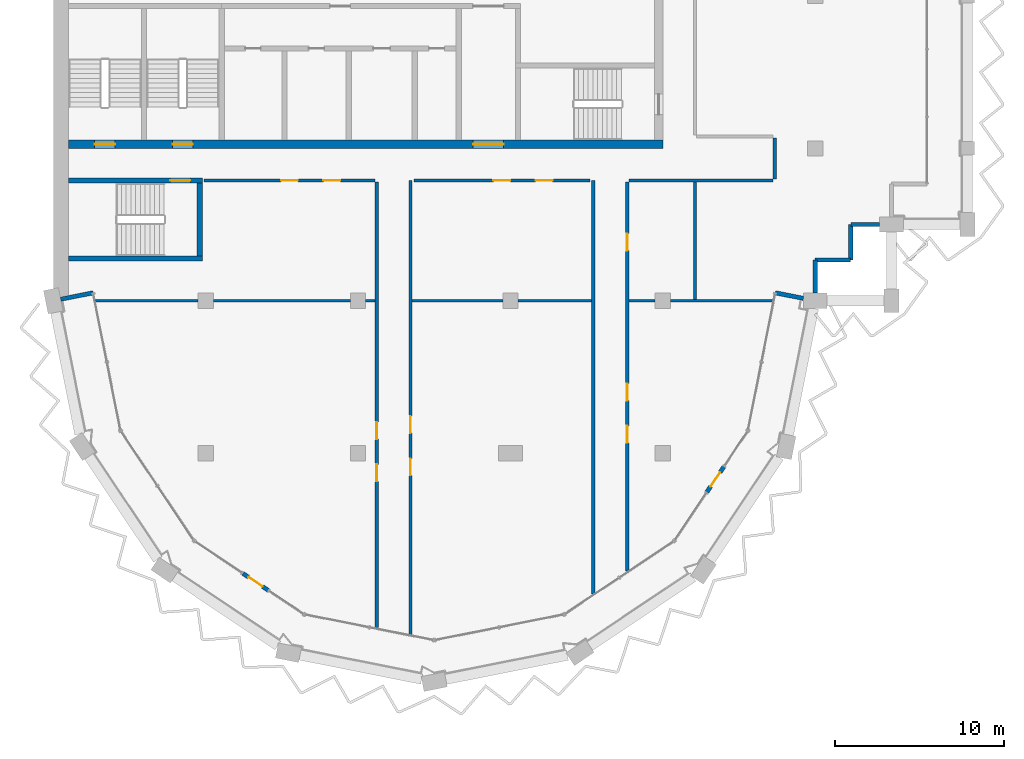
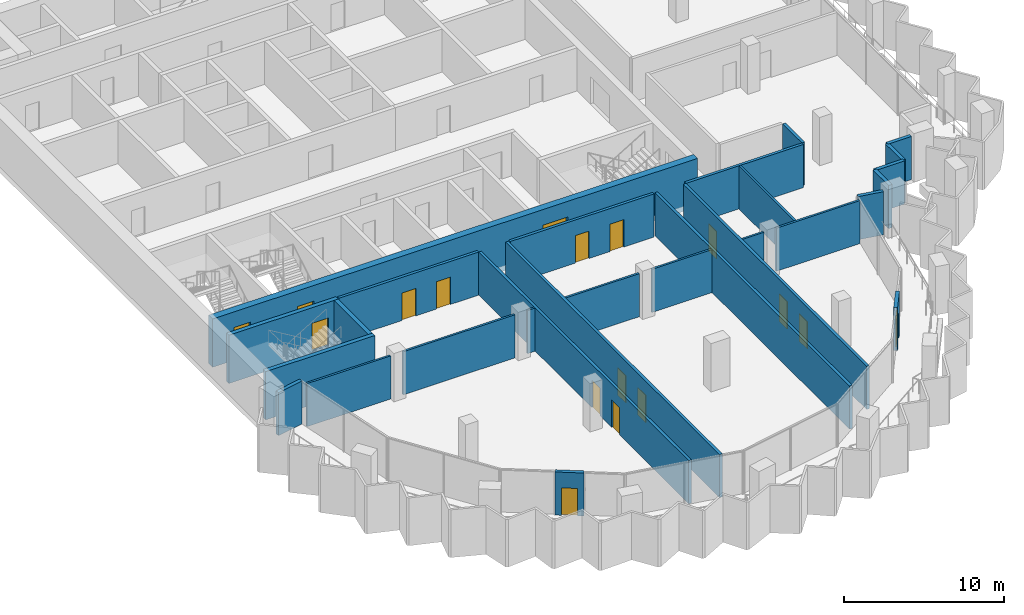
# One storey, part 7 of 14: 28 walls, 17 doors, 17 openings.
"""IFC4 building model written with IfcOpenShell, lengths in metres."""

from ifc_helpers import new_model, si_unit, direction, frame, frame_2d, origin, place, context, subcontext, project, spatial, rectangle, extrude, material, layer, layer_set, type_object, element, fill, save


model = new_model("IFC4")

# Units and contexts
model_context = context("Model", 3, precision=1e-05, world=origin(), true_north=direction((0.0, 1.0)))
body_context = subcontext(model_context, "Body", "Model", "MODEL_VIEW")
ifc_project = project(units=[si_unit("LENGTHUNIT", "METRE"), si_unit("AREAUNIT", "SQUARE_METRE"), si_unit("VOLUMEUNIT", "CUBIC_METRE"), si_unit("PLANEANGLEUNIT", "RADIAN"), si_unit("MASSUNIT", "GRAM", prefix="KILO")], contexts=[model_context])

# Site, building, storey
site_placement = place(None, origin())
site = spatial("IfcSite", under=ifc_project, at=site_placement, CompositionType="ELEMENT")
building_placement = place(site_placement, origin())
building = spatial("IfcBuilding", under=site, at=building_placement, Name="Hunhe Ridgeline Campus", CompositionType="ELEMENT")
storey_placement = place(building_placement, frame((0.0, 0.0, 295.60009765625)))
storey = spatial("IfcBuildingStorey", under=building, at=storey_placement, Name="L76", CompositionType="ELEMENT", Elevation=295.60009765625)

# Wall, openings, doors
ifc_material_1 = material(Name="Concrete C50", Category="concrete")
ifc_layer_1 = layer(ifc_material_1, 0.5)
ifc_layer_set_1 = layer_set([ifc_layer_1], Name="Core wall 500 reinforced concrete C50")
wall_type_1 = type_object("IfcWallType", Name="Core wall 500 reinforced concrete C50", PredefinedType="SOLIDWALL", material=ifc_layer_set_1)
wall_1_placement = place(storey_placement, frame((0.89990234375, 63.25, -0.400146484375), z_axis=(0.0, 0.0, 1.0), x_axis=(1.0, 0.0, 0.0)))
wall_1 = element("IfcWall", 1, at=wall_1_placement, inside=storey, type_object=wall_type_1, Name="L76 core wall 3", PredefinedType="SOLIDWALL", context=body_context, shape_type="SweptSolid", body=[
    extrude(rectangle(XDim=35.10009765625, YDim=0.5, at=frame_2d((17.550048828125, 0.0))), origin(), (0.0, 0.0, 1.0), 3.699951171875),
])
opening_1_placement = place(wall_1_placement, frame((23.89990234375, 0.0, 0.39990234375)))
opening_1 = element("IfcOpeningElement", 2, at=opening_1_placement, cuts=wall_1, Name="Opening CD6", PredefinedType="OPENING", context=body_context, shape_type="SweptSolid", body=[
    extrude(rectangle(XDim=1.800048828125, YDim=2.10009765625, at=frame_2d((0.89990234375, 1.050048828125))), frame((0.0, 0.25, 0.0), z_axis=(0.0, -1.0, 0.0), x_axis=(1.0, 0.0, 0.0)), (0.0, 0.0, 1.0), 0.5),
])
opening_2_placement = place(wall_1_placement, frame((1.550048828125, 0.0, 0.39990234375)))
opening_2 = element("IfcOpeningElement", 3, at=opening_2_placement, cuts=wall_1, Name="Opening CD13", PredefinedType="OPENING", context=body_context, shape_type="SweptSolid", body=[
    extrude(rectangle(XDim=1.199951171875, YDim=2.10009765625, at=frame_2d((0.60009765625, 1.050048828125))), frame((0.0, 0.25, 0.0), z_axis=(0.0, -1.0, 0.0), x_axis=(1.0, 0.0, 0.0)), (0.0, 0.0, 1.0), 0.5),
])
opening_3_placement = place(wall_1_placement, frame((6.14990234375, 0.0, 0.39990234375)))
opening_3 = element("IfcOpeningElement", 4, at=opening_3_placement, cuts=wall_1, Name="Opening CD14", PredefinedType="OPENING", context=body_context, shape_type="SweptSolid", body=[
    extrude(rectangle(XDim=1.199951171875, YDim=2.10009765625, at=frame_2d((0.60009765625, 1.050048828125))), frame((0.0, 0.25, 0.0), z_axis=(0.0, -1.0, 0.0), x_axis=(1.0, 0.0, 0.0)), (0.0, 0.0, 1.0), 0.5),
])
ifc_material_2 = material(Name="Anodised aluminium and glass", Category="aluminium")
door_type_1 = type_object("IfcDoorType", Name="Glazed double door 1800x2100", OperationType="DOUBLE_DOOR_SINGLE_SWING", PredefinedType="DOOR", material=ifc_material_2)
door_1_placement = place(opening_1_placement, frame((1.800048828125, 0.0, 0.0), z_axis=(0.0, 0.0, 1.0), x_axis=(-1.0, 0.0, 0.0)))
door_1 = element("IfcDoor", 5, at=door_1_placement, inside=storey, type_object=door_type_1, Name="L76 door VEST-FLOOR", OperationType="DOUBLE_DOOR_SINGLE_SWING", OverallHeight=2.10009765625, OverallWidth=1.800048828125, PredefinedType="DOOR", context=body_context, shape_type="SweptSolid", body=[
    extrude(rectangle(XDim=1.800048828125, YDim=2.10009765625, at=frame_2d((0.89990234375, 1.050048828125))), frame((0.0, 0.02490234375, 0.0), z_axis=(0.0, -1.0, 0.0), x_axis=(1.0, 0.0, 0.0)), (0.0, 0.0, 1.0), 0.050048828125),
])
fill(opening_1, door_1)
ifc_material_3 = material(Name="Hollow metal fire door leaf")
door_type_2 = type_object("IfcDoorType", Name="Stair door 1200x2100 FD60", OperationType="SINGLE_SWING_LEFT", PredefinedType="DOOR", material=ifc_material_3)
door_2_placement = place(opening_2_placement, frame((1.199951171875, 0.0, 0.0), z_axis=(0.0, 0.0, 1.0), x_axis=(-1.0, 0.0, 0.0)))
door_2 = element("IfcDoor", 6, at=door_2_placement, inside=storey, type_object=door_type_2, Name="L76 door S3", OperationType="SINGLE_SWING_LEFT", OverallHeight=2.10009765625, OverallWidth=1.199951171875, PredefinedType="DOOR", context=body_context, shape_type="SweptSolid", body=[
    extrude(rectangle(XDim=1.199951171875, YDim=2.10009765625, at=frame_2d((0.60009765625, 1.050048828125))), frame((0.0, 0.02490234375, 0.0), z_axis=(0.0, -1.0, 0.0), x_axis=(1.0, 0.0, 0.0)), (0.0, 0.0, 1.0), 0.050048828125),
])
fill(opening_2, door_2)
door_3_placement = place(opening_3_placement, frame((1.199951171875, 0.0, 0.0), z_axis=(0.0, 0.0, 1.0), x_axis=(-1.0, 0.0, 0.0)))
door_3 = element("IfcDoor", 7, at=door_3_placement, inside=storey, type_object=door_type_2, Name="L76 door S4", OperationType="SINGLE_SWING_RIGHT", OverallHeight=2.10009765625, OverallWidth=1.199951171875, PredefinedType="DOOR", context=body_context, shape_type="SweptSolid", body=[
    extrude(rectangle(XDim=1.199951171875, YDim=2.10009765625, at=frame_2d((0.60009765625, 1.050048828125))), frame((0.0, 0.02490234375, 0.0), z_axis=(0.0, -1.0, 0.0), x_axis=(1.0, 0.0, 0.0)), (0.0, 0.0, 1.0), 0.050048828125),
])
fill(opening_3, door_3)

# Walls
ifc_material_4 = material(Name="Concrete C30", Category="concrete")
ifc_layer_2 = layer(ifc_material_4, 0.25)
ifc_layer_set_2 = layer_set([ifc_layer_2], Name="Corner return wall 250 Concrete C30")
wall_type_2 = type_object("IfcWallType", Name="Corner return wall 250 Concrete C30", PredefinedType="SOLIDWALL", material=ifc_layer_set_2)
wall_2_placement = place(storey_placement, frame((0.441162109375, 54.088623046875, 0.0), z_axis=(0.0, 0.0, 1.0), x_axis=(0.980834936053, 0.194840519958, 0.0)))
element("IfcWall", 8, at=wall_2_placement, inside=storey, type_object=wall_type_2, Name="Corner return wall 1", PredefinedType="SOLIDWALL", context=body_context, shape_type="SweptSolid", body=[
    extrude(rectangle(XDim=1.950927734375, YDim=0.25, at=frame_2d((0.9755859375, 0.0))), origin(), (0.0, 0.0, 1.0), 3.2998046875),
])
wall_3_placement = place(storey_placement, frame((42.645263671875, 54.46875, 0.0), z_axis=(0.0, 0.0, 1.0), x_axis=(0.980846923473, -0.194780165092, 0.0)))
element("IfcWall", 9, at=wall_3_placement, inside=storey, type_object=wall_type_2, Name="Corner return wall 2", PredefinedType="SOLIDWALL", context=body_context, shape_type="SweptSolid", body=[
    extrude(rectangle(XDim=1.68701171875, YDim=0.25, at=frame_2d((0.843505859375, 0.0))), origin(), (0.0, 0.0, 1.0), 3.2998046875),
])
wall_4_placement = place(storey_placement, frame((44.9990234375, 54.449951171875, 0.0), z_axis=(0.0, 0.0, 1.0), x_axis=(0.000125156445, 0.999999992168, 0.0)))
element("IfcWall", 10, at=wall_4_placement, inside=storey, type_object=wall_type_2, Name="Corner return wall 3", PredefinedType="SOLIDWALL", context=body_context, shape_type="SweptSolid", body=[
    extrude(rectangle(XDim=1.95068359375, YDim=0.25, at=frame_2d((0.975341796875, 0.0))), origin(), (0.0, 0.0, 1.0), 3.2998046875),
])
wall_5_placement = place(storey_placement, frame((44.999267578125, 56.400634765625, 0.0), z_axis=(0.0, 0.0, 1.0), x_axis=(0.999999993241, 0.00011626555, 0.0)))
element("IfcWall", 11, at=wall_5_placement, inside=storey, type_object=wall_type_2, Name="Corner return wall 4", PredefinedType="SOLIDWALL", context=body_context, shape_type="SweptSolid", body=[
    extrude(rectangle(XDim=2.099853515625, YDim=0.25, at=frame_2d((1.0498046875, 0.0))), origin(), (0.0, 0.0, 1.0), 3.2998046875),
])
wall_6_placement = place(storey_placement, frame((47.09912109375, 56.40087890625, 0.0), z_axis=(0.0, 0.0, 1.0), x_axis=(0.000232504063, 0.999999972971, 0.0)))
element("IfcWall", 12, at=wall_6_placement, inside=storey, type_object=wall_type_2, Name="Corner return wall 5", PredefinedType="SOLIDWALL", context=body_context, shape_type="SweptSolid", body=[
    extrude(rectangle(XDim=2.10009765625, YDim=0.25, at=frame_2d((1.050048828125, 0.0))), origin(), (0.0, 0.0, 1.0), 3.2998046875),
])
wall_7_placement = place(storey_placement, frame((47.099609375, 58.5009765625, 0.0), z_axis=(0.0, 0.0, 1.0), x_axis=(1.0, 0.0, 0.0)))
element("IfcWall", 13, at=wall_7_placement, inside=storey, type_object=wall_type_2, Name="Corner return wall 6", PredefinedType="SOLIDWALL", context=body_context, shape_type="SweptSolid", body=[
    extrude(rectangle(XDim=1.700439453125, YDim=0.25, at=frame_2d((0.85009765625, 0.0))), origin(), (0.0, 0.0, 1.0), 3.2998046875),
])

# Wall, openings, doors
ifc_material_5 = material(Name="Gypsum board partition")
ifc_layer_3 = layer(ifc_material_5, 0.199951171875)
ifc_layer_set_3 = layer_set([ifc_layer_3], Name="Corridor partition 200 gypsum board on steel studs")
wall_type_3 = type_object("IfcWallType", Name="Corridor partition 200 gypsum board on steel studs", PredefinedType="PARTITIONING", material=ifc_layer_set_3)
wall_8_placement = place(storey_placement, frame((19.0, 61.10009765625, 0.0), z_axis=(0.0, 0.0, 1.0), x_axis=(-1.0, 0.0, 0.0)))
wall_8 = element("IfcWall", 14, at=wall_8_placement, inside=storey, type_object=wall_type_3, Name="F-L76-wall-008", PredefinedType="PARTITIONING", context=body_context, shape_type="SweptSolid", body=[
    extrude(rectangle(XDim=10.095947265625, YDim=0.199951171875, at=frame_2d((5.0478515625, 0.0))), origin(), (0.0, 0.0, 1.0), 3.2998046875),
])
opening_4_placement = place(wall_8_placement, frame((4.548095703125, 0.0, 0.0)))
opening_4 = element("IfcOpeningElement", 15, at=opening_4_placement, cuts=wall_8, Name="Opening RD1-008", PredefinedType="OPENING", context=body_context, shape_type="SweptSolid", body=[
    extrude(rectangle(XDim=1.0, YDim=2.10009765625, at=frame_2d((0.5, 1.050048828125))), frame((0.0, 0.10009765625, 0.0), z_axis=(0.0, -1.0, 0.0), x_axis=(1.0, 0.0, 0.0)), (0.0, 0.0, 1.0), 0.199951171875),
])
opening_5_placement = place(wall_8_placement, frame((2.048095703125, 0.0, 0.0)))
opening_5 = element("IfcOpeningElement", 16, at=opening_5_placement, cuts=wall_8, Name="Opening RD1-009", PredefinedType="OPENING", context=body_context, shape_type="SweptSolid", body=[
    extrude(rectangle(XDim=1.0, YDim=2.10009765625, at=frame_2d((0.5, 1.050048828125))), frame((0.0, 0.10009765625, 0.0), z_axis=(0.0, -1.0, 0.0), x_axis=(1.0, 0.0, 0.0)), (0.0, 0.0, 1.0), 0.199951171875),
])
ifc_material_6 = material(Name="Timber door leaf", Category="wood")
door_type_3 = type_object("IfcDoorType", Name="Single fire door 1000x2100 timber FD60", OperationType="NOTDEFINED", PredefinedType="DOOR", material=ifc_material_6)
door_4_placement = place(opening_4_placement, frame((1.0, 0.0, 0.0), z_axis=(0.0, 0.0, 1.0), x_axis=(-1.0, 0.0, 0.0)))
door_4 = element("IfcDoor", 17, at=door_4_placement, inside=storey, type_object=door_type_3, Name="F-L76-door-008", OperationType="SINGLE_SWING_RIGHT", OverallHeight=2.10009765625, OverallWidth=1.0, PredefinedType="DOOR", context=body_context, shape_type="SweptSolid", body=[
    extrude(rectangle(XDim=1.0, YDim=2.10009765625, at=frame_2d((0.5, 1.050048828125))), frame((0.0, 0.02490234375, 0.0), z_axis=(0.0, -1.0, 0.0), x_axis=(1.0, 0.0, 0.0)), (0.0, 0.0, 1.0), 0.050048828125),
])
fill(opening_4, door_4)
door_5_placement = place(opening_5_placement, frame((1.0, 0.0, 0.0), z_axis=(0.0, 0.0, 1.0), x_axis=(-1.0, 0.0, 0.0)))
door_5 = element("IfcDoor", 18, at=door_5_placement, inside=storey, type_object=door_type_3, Name="F-L76-door-009", OperationType="SINGLE_SWING_RIGHT", OverallHeight=2.10009765625, OverallWidth=1.0, PredefinedType="DOOR", context=body_context, shape_type="SweptSolid", body=[
    extrude(rectangle(XDim=1.0, YDim=2.10009765625, at=frame_2d((0.5, 1.050048828125))), frame((0.0, 0.02490234375, 0.0), z_axis=(0.0, -1.0, 0.0), x_axis=(1.0, 0.0, 0.0)), (0.0, 0.0, 1.0), 0.050048828125),
])
fill(opening_5, door_5)

wall_9_placement = place(storey_placement, frame((31.6982421875, 61.10009765625, 0.0), z_axis=(0.0, 0.0, 1.0), x_axis=(-1.0, 0.0, 0.0)))
wall_9 = element("IfcWall", 19, at=wall_9_placement, inside=storey, type_object=wall_type_3, Name="F-L76-wall-009", PredefinedType="PARTITIONING", context=body_context, shape_type="SweptSolid", body=[
    extrude(rectangle(XDim=10.406005859375, YDim=0.199951171875, at=frame_2d((5.203125, 0.0))), origin(), (0.0, 0.0, 1.0), 3.2998046875),
])
opening_6_placement = place(wall_9_placement, frame((4.703125, 0.0, 0.0)))
opening_6 = element("IfcOpeningElement", 20, at=opening_6_placement, cuts=wall_9, Name="Opening RD1-010", PredefinedType="OPENING", context=body_context, shape_type="SweptSolid", body=[
    extrude(rectangle(XDim=1.0, YDim=2.10009765625, at=frame_2d((0.5, 1.050048828125))), frame((0.0, 0.10009765625, 0.0), z_axis=(0.0, -1.0, 0.0), x_axis=(1.0, 0.0, 0.0)), (0.0, 0.0, 1.0), 0.199951171875),
])
opening_7_placement = place(wall_9_placement, frame((2.203125, 0.0, 0.0)))
opening_7 = element("IfcOpeningElement", 21, at=opening_7_placement, cuts=wall_9, Name="Opening RD1-011", PredefinedType="OPENING", context=body_context, shape_type="SweptSolid", body=[
    extrude(rectangle(XDim=1.0, YDim=2.10009765625, at=frame_2d((0.5, 1.050048828125))), frame((0.0, 0.10009765625, 0.0), z_axis=(0.0, -1.0, 0.0), x_axis=(1.0, 0.0, 0.0)), (0.0, 0.0, 1.0), 0.199951171875),
])
door_6_placement = place(opening_6_placement, frame((1.0, 0.0, 0.0), z_axis=(0.0, 0.0, 1.0), x_axis=(-1.0, 0.0, 0.0)))
door_6 = element("IfcDoor", 22, at=door_6_placement, inside=storey, type_object=door_type_3, Name="F-L76-door-010", OperationType="SINGLE_SWING_LEFT", OverallHeight=2.10009765625, OverallWidth=1.0, PredefinedType="DOOR", context=body_context, shape_type="SweptSolid", body=[
    extrude(rectangle(XDim=1.0, YDim=2.10009765625, at=frame_2d((0.5, 1.050048828125))), frame((0.0, 0.02490234375, 0.0), z_axis=(0.0, -1.0, 0.0), x_axis=(1.0, 0.0, 0.0)), (0.0, 0.0, 1.0), 0.050048828125),
])
fill(opening_6, door_6)
door_7_placement = place(opening_7_placement, frame((1.0, 0.0, 0.0), z_axis=(0.0, 0.0, 1.0), x_axis=(-1.0, 0.0, 0.0)))
door_7 = element("IfcDoor", 23, at=door_7_placement, inside=storey, type_object=door_type_3, Name="F-L76-door-011", OperationType="SINGLE_SWING_RIGHT", OverallHeight=2.10009765625, OverallWidth=1.0, PredefinedType="DOOR", context=body_context, shape_type="SweptSolid", body=[
    extrude(rectangle(XDim=1.0, YDim=2.10009765625, at=frame_2d((0.5, 1.050048828125))), frame((0.0, 0.02490234375, 0.0), z_axis=(0.0, -1.0, 0.0), x_axis=(1.0, 0.0, 0.0)), (0.0, 0.0, 1.0), 0.050048828125),
])
fill(opening_7, door_7)

# Wall
wall_10_placement = place(storey_placement, frame((42.5, 61.10009765625, 0.0), z_axis=(0.0, 0.0, 1.0), x_axis=(-1.0, 0.0, 0.0)))
element("IfcWall", 24, at=wall_10_placement, inside=storey, type_object=wall_type_3, Name="F-L76-wall-010", PredefinedType="PARTITIONING", context=body_context, shape_type="SweptSolid", body=[
    extrude(rectangle(XDim=8.5, YDim=0.199951171875, at=frame_2d((4.25, 0.0))), origin(), (0.0, 0.0, 1.0), 3.2998046875),
])

# Wall, openings, doors
wall_11_placement = place(storey_placement, frame((19.10009765625, 34.679443359375, 0.0), z_axis=(0.0, 0.0, 1.0), x_axis=(0.0, 1.0, 0.0)))
wall_11 = element("IfcWall", 25, at=wall_11_placement, inside=storey, type_object=wall_type_3, Name="F-L76-wall-017", PredefinedType="PARTITIONING", context=body_context, shape_type="SweptSolid", body=[
    extrude(rectangle(XDim=26.320556640625, YDim=0.199951171875, at=frame_2d((13.16015625, 0.0))), origin(), (0.0, 0.0, 1.0), 3.2998046875),
])
opening_8_placement = place(wall_11_placement, frame((8.65087890625, 0.0, 0.0)))
opening_8 = element("IfcOpeningElement", 26, at=opening_8_placement, cuts=wall_11, Name="Opening RD1-001", PredefinedType="OPENING", context=body_context, shape_type="SweptSolid", body=[
    extrude(rectangle(XDim=1.0, YDim=2.10009765625, at=frame_2d((0.5, 1.050048828125))), frame((0.0, 0.10009765625, 0.0), z_axis=(0.0, -1.0, 0.0), x_axis=(1.0, 0.0, 0.0)), (0.0, 0.0, 1.0), 0.199951171875),
])
opening_9_placement = place(wall_11_placement, frame((11.15087890625, 0.0, 0.0)))
opening_9 = element("IfcOpeningElement", 27, at=opening_9_placement, cuts=wall_11, Name="Opening RD1-004", PredefinedType="OPENING", context=body_context, shape_type="SweptSolid", body=[
    extrude(rectangle(XDim=1.0, YDim=2.10009765625, at=frame_2d((0.5, 1.050048828125))), frame((0.0, 0.10009765625, 0.0), z_axis=(0.0, -1.0, 0.0), x_axis=(1.0, 0.0, 0.0)), (0.0, 0.0, 1.0), 0.199951171875),
])
door_8_placement = place(opening_8_placement, frame((1.0, 0.0, 0.0), z_axis=(0.0, 0.0, 1.0), x_axis=(-1.0, 0.0, 0.0)))
door_8 = element("IfcDoor", 28, at=door_8_placement, inside=storey, type_object=door_type_3, Name="F-L76-door-001", OperationType="SINGLE_SWING_RIGHT", OverallHeight=2.10009765625, OverallWidth=1.0, PredefinedType="DOOR", context=body_context, shape_type="SweptSolid", body=[
    extrude(rectangle(XDim=1.0, YDim=2.10009765625, at=frame_2d((0.5, 1.050048828125))), frame((0.0, 0.02490234375, 0.0), z_axis=(0.0, -1.0, 0.0), x_axis=(1.0, 0.0, 0.0)), (0.0, 0.0, 1.0), 0.050048828125),
])
fill(opening_8, door_8)
door_9_placement = place(opening_9_placement, frame((1.0, 0.0, 0.0), z_axis=(0.0, 0.0, 1.0), x_axis=(-1.0, 0.0, 0.0)))
door_9 = element("IfcDoor", 29, at=door_9_placement, inside=storey, type_object=door_type_3, Name="F-L76-door-004", OperationType="SINGLE_SWING_LEFT", OverallHeight=2.10009765625, OverallWidth=1.0, PredefinedType="DOOR", context=body_context, shape_type="SweptSolid", body=[
    extrude(rectangle(XDim=1.0, YDim=2.10009765625, at=frame_2d((0.5, 1.050048828125))), frame((0.0, 0.02490234375, 0.0), z_axis=(0.0, -1.0, 0.0), x_axis=(1.0, 0.0, 0.0)), (0.0, 0.0, 1.0), 0.050048828125),
])
fill(opening_9, door_9)

wall_12_placement = place(storey_placement, frame((21.10009765625, 61.10009765625, 0.0), z_axis=(0.0, 0.0, 1.0), x_axis=(0.0, -1.0, 0.0)))
wall_12 = element("IfcWall", 30, at=wall_12_placement, inside=storey, type_object=wall_type_3, Name="F-L76-wall-018", PredefinedType="PARTITIONING", context=body_context, shape_type="SweptSolid", body=[
    extrude(rectangle(XDim=26.818603515625, YDim=0.199951171875, at=frame_2d((13.4091796875, 0.0))), origin(), (0.0, 0.0, 1.0), 3.2998046875),
])
opening_10_placement = place(wall_12_placement, frame((16.418212890625, 0.0, 0.0)))
opening_10 = element("IfcOpeningElement", 31, at=opening_10_placement, cuts=wall_12, Name="Opening RD1-002", PredefinedType="OPENING", context=body_context, shape_type="SweptSolid", body=[
    extrude(rectangle(XDim=1.0, YDim=2.10009765625, at=frame_2d((0.5, 1.050048828125))), frame((0.0, 0.10009765625, 0.0), z_axis=(0.0, -1.0, 0.0), x_axis=(1.0, 0.0, 0.0)), (0.0, 0.0, 1.0), 0.199951171875),
])
opening_11_placement = place(wall_12_placement, frame((13.918212890625, 0.0, 0.0)))
opening_11 = element("IfcOpeningElement", 32, at=opening_11_placement, cuts=wall_12, Name="Opening RD1-005", PredefinedType="OPENING", context=body_context, shape_type="SweptSolid", body=[
    extrude(rectangle(XDim=1.0, YDim=2.10009765625, at=frame_2d((0.5, 1.050048828125))), frame((0.0, 0.10009765625, 0.0), z_axis=(0.0, -1.0, 0.0), x_axis=(1.0, 0.0, 0.0)), (0.0, 0.0, 1.0), 0.199951171875),
])
door_10_placement = place(opening_10_placement, frame((1.0, 0.0, 0.0), z_axis=(0.0, 0.0, 1.0), x_axis=(-1.0, 0.0, 0.0)))
door_10 = element("IfcDoor", 33, at=door_10_placement, inside=storey, type_object=door_type_3, Name="F-L76-door-002", OperationType="SINGLE_SWING_RIGHT", OverallHeight=2.10009765625, OverallWidth=1.0, PredefinedType="DOOR", context=body_context, shape_type="SweptSolid", body=[
    extrude(rectangle(XDim=1.0, YDim=2.10009765625, at=frame_2d((0.5, 1.050048828125))), frame((0.0, 0.02490234375, 0.0), z_axis=(0.0, -1.0, 0.0), x_axis=(1.0, 0.0, 0.0)), (0.0, 0.0, 1.0), 0.050048828125),
])
fill(opening_10, door_10)
door_11_placement = place(opening_11_placement, frame((1.0, 0.0, 0.0), z_axis=(0.0, 0.0, 1.0), x_axis=(-1.0, 0.0, 0.0)))
door_11 = element("IfcDoor", 34, at=door_11_placement, inside=storey, type_object=door_type_3, Name="F-L76-door-005", OperationType="SINGLE_SWING_RIGHT", OverallHeight=2.10009765625, OverallWidth=1.0, PredefinedType="DOOR", context=body_context, shape_type="SweptSolid", body=[
    extrude(rectangle(XDim=1.0, YDim=2.10009765625, at=frame_2d((0.5, 1.050048828125))), frame((0.0, 0.02490234375, 0.0), z_axis=(0.0, -1.0, 0.0), x_axis=(1.0, 0.0, 0.0)), (0.0, 0.0, 1.0), 0.050048828125),
])
fill(opening_11, door_11)

# Wall
wall_13_placement = place(storey_placement, frame((31.89990234375, 36.69287109375, 0.0), z_axis=(0.0, 0.0, 1.0), x_axis=(0.0, 1.0, 0.0)))
element("IfcWall", 35, at=wall_13_placement, inside=storey, type_object=wall_type_3, Name="F-L76-wall-019", PredefinedType="PARTITIONING", context=body_context, shape_type="SweptSolid", body=[
    extrude(rectangle(XDim=24.4072265625, YDim=0.199951171875, at=frame_2d((12.20361328125, 0.0))), origin(), (0.0, 0.0, 1.0), 3.2998046875),
])

# Wall, openings, doors
wall_14_placement = place(storey_placement, frame((33.89990234375, 61.0, 0.0), z_axis=(0.0, 0.0, 1.0), x_axis=(0.0, -1.0, 0.0)))
wall_14 = element("IfcWall", 36, at=wall_14_placement, inside=storey, type_object=wall_type_3, Name="F-L76-wall-020", PredefinedType="PARTITIONING", context=body_context, shape_type="SweptSolid", body=[
    extrude(rectangle(XDim=22.970703125, YDim=0.199951171875, at=frame_2d((11.4853515625, 0.0))), origin(), (0.0, 0.0, 1.0), 3.2998046875),
])
opening_12_placement = place(wall_14_placement, frame((14.39306640625, 0.0, 0.0)))
opening_12 = element("IfcOpeningElement", 37, at=opening_12_placement, cuts=wall_14, Name="Opening RD1-003", PredefinedType="OPENING", context=body_context, shape_type="SweptSolid", body=[
    extrude(rectangle(XDim=1.0, YDim=2.10009765625, at=frame_2d((0.5, 1.050048828125))), frame((0.0, 0.10009765625, 0.0), z_axis=(0.0, -1.0, 0.0), x_axis=(1.0, 0.0, 0.0)), (0.0, 0.0, 1.0), 0.199951171875),
])
opening_13_placement = place(wall_14_placement, frame((11.89306640625, 0.0, 0.0)))
opening_13 = element("IfcOpeningElement", 38, at=opening_13_placement, cuts=wall_14, Name="Opening RD1-006", PredefinedType="OPENING", context=body_context, shape_type="SweptSolid", body=[
    extrude(rectangle(XDim=1.0, YDim=2.10009765625, at=frame_2d((0.5, 1.050048828125))), frame((0.0, 0.10009765625, 0.0), z_axis=(0.0, -1.0, 0.0), x_axis=(1.0, 0.0, 0.0)), (0.0, 0.0, 1.0), 0.199951171875),
])
opening_14_placement = place(wall_14_placement, frame((3.033935546875, 0.0, 0.0)))
opening_14 = element("IfcOpeningElement", 39, at=opening_14_placement, cuts=wall_14, Name="Opening RD1-007", PredefinedType="OPENING", context=body_context, shape_type="SweptSolid", body=[
    extrude(rectangle(XDim=1.0, YDim=2.10009765625, at=frame_2d((0.5, 1.050048828125))), frame((0.0, 0.10009765625, 0.0), z_axis=(0.0, -1.0, 0.0), x_axis=(1.0, 0.0, 0.0)), (0.0, 0.0, 1.0), 0.199951171875),
])
door_12_placement = place(opening_12_placement, frame((1.0, 0.0, 0.0), z_axis=(0.0, 0.0, 1.0), x_axis=(-1.0, 0.0, 0.0)))
door_12 = element("IfcDoor", 40, at=door_12_placement, inside=storey, type_object=door_type_3, Name="F-L76-door-003", OperationType="SINGLE_SWING_RIGHT", OverallHeight=2.10009765625, OverallWidth=1.0, PredefinedType="DOOR", context=body_context, shape_type="SweptSolid", body=[
    extrude(rectangle(XDim=1.0, YDim=2.10009765625, at=frame_2d((0.5, 1.050048828125))), frame((0.0, 0.02490234375, 0.0), z_axis=(0.0, -1.0, 0.0), x_axis=(1.0, 0.0, 0.0)), (0.0, 0.0, 1.0), 0.050048828125),
])
fill(opening_12, door_12)
door_13_placement = place(opening_13_placement, frame((1.0, 0.0, 0.0), z_axis=(0.0, 0.0, 1.0), x_axis=(-1.0, 0.0, 0.0)))
door_13 = element("IfcDoor", 41, at=door_13_placement, inside=storey, type_object=door_type_3, Name="F-L76-door-006", OperationType="SINGLE_SWING_RIGHT", OverallHeight=2.10009765625, OverallWidth=1.0, PredefinedType="DOOR", context=body_context, shape_type="SweptSolid", body=[
    extrude(rectangle(XDim=1.0, YDim=2.10009765625, at=frame_2d((0.5, 1.050048828125))), frame((0.0, 0.02490234375, 0.0), z_axis=(0.0, -1.0, 0.0), x_axis=(1.0, 0.0, 0.0)), (0.0, 0.0, 1.0), 0.050048828125),
])
fill(opening_13, door_13)
door_14_placement = place(opening_14_placement, origin())
door_14 = element("IfcDoor", 42, at=door_14_placement, inside=storey, type_object=door_type_3, Name="F-L76-door-007", OperationType="SINGLE_SWING_RIGHT", OverallHeight=2.10009765625, OverallWidth=1.0, PredefinedType="DOOR", context=body_context, shape_type="SweptSolid", body=[
    extrude(rectangle(XDim=1.0, YDim=2.10009765625, at=frame_2d((0.5, 1.050048828125))), frame((0.0, 0.02490234375, 0.0), z_axis=(0.0, -1.0, 0.0), x_axis=(1.0, 0.0, 0.0)), (0.0, 0.0, 1.0), 0.050048828125),
])
fill(opening_14, door_14)

# Wall
wall_15_placement = place(storey_placement, frame((42.60009765625, 63.60009765625, 0.0), z_axis=(0.0, 0.0, 1.0), x_axis=(0.0, -1.0, 0.0)))
element("IfcWall", 43, at=wall_15_placement, inside=storey, type_object=wall_type_3, Name="F-L76-wall-025", PredefinedType="PARTITIONING", context=body_context, shape_type="SweptSolid", body=[
    extrude(rectangle(XDim=2.400146484375, YDim=0.199951171875, at=frame_2d((1.2001953125, 0.0))), origin(), (0.0, 0.0, 1.0), 3.2998046875),
])

# Wall, opening, door
ifc_layer_4 = layer(ifc_material_4, 0.25)
ifc_layer_set_4 = layer_set([ifc_layer_4], Name="Loggia door pier wall 250 Concrete C30")
wall_type_4 = type_object("IfcWallType", Name="Loggia door pier wall 250 Concrete C30", PredefinedType="SOLIDWALL", material=ifc_layer_set_4)
wall_16_placement = place(storey_placement, frame((11.19970703125, 37.897705078125, 0.0), z_axis=(0.0, 0.0, 1.0), x_axis=(0.83146554274, -0.555576323502, 0.0)))
wall_16 = element("IfcWall", 44, at=wall_16_placement, inside=storey, type_object=wall_type_4, Name="Loggia door pier 1", PredefinedType="SOLIDWALL", context=body_context, shape_type="SweptSolid", body=[
    extrude(rectangle(XDim=1.800048828125, YDim=0.25, at=frame_2d((0.89990234375, 0.0))), origin(), (0.0, 0.0, 1.0), 3.2998046875),
])
opening_15_placement = place(wall_16_placement, frame((0.39990234375, 0.0, 0.0)))
opening_15 = element("IfcOpeningElement", 45, at=opening_15_placement, cuts=wall_16, Name="Opening BD602", PredefinedType="OPENING", context=body_context, shape_type="SweptSolid", body=[
    extrude(rectangle(XDim=1.0, YDim=2.10009765625, at=frame_2d((0.5, 1.050048828125))), frame((0.0, 0.125, 0.0), z_axis=(0.0, -1.0, 0.0), x_axis=(1.0, 0.0, 0.0)), (0.0, 0.0, 1.0), 0.25),
])
ifc_material_7 = material(Name="Aluminium 6063", Category="aluminium")
door_type_4 = type_object("IfcDoorType", Name="Loggia glazed door 1000x2100", OperationType="NOTDEFINED", PredefinedType="DOOR", material=ifc_material_7)
door_15_placement = place(opening_15_placement, frame((1.0, 0.0, 0.0), z_axis=(0.0, 0.0, 1.0), x_axis=(-1.0, 0.0, 0.0)))
door_15 = element("IfcDoor", 46, at=door_15_placement, inside=storey, type_object=door_type_4, Name="Loggia door BD602", OperationType="SINGLE_SWING_LEFT", OverallHeight=2.10009765625, OverallWidth=1.0, PredefinedType="DOOR", context=body_context, shape_type="SweptSolid", body=[
    extrude(rectangle(XDim=1.0, YDim=2.10009765625, at=frame_2d((0.5, 1.050048828125))), frame((0.0, 0.02490234375, 0.0), z_axis=(0.0, -1.0, 0.0), x_axis=(1.0, 0.0, 0.0)), (0.0, 0.0, 1.0), 0.050048828125),
])
fill(opening_15, door_15)

wall_17_placement = place(storey_placement, frame((38.602294921875, 42.69970703125, 0.0), z_axis=(0.0, 0.0, 1.0), x_axis=(0.555576323502, 0.83146554274, 0.0)))
wall_17 = element("IfcWall", 47, at=wall_17_placement, inside=storey, type_object=wall_type_4, Name="Loggia door pier 2", PredefinedType="SOLIDWALL", context=body_context, shape_type="SweptSolid", body=[
    extrude(rectangle(XDim=1.800048828125, YDim=0.25, at=frame_2d((0.89990234375, 0.0))), origin(), (0.0, 0.0, 1.0), 3.2998046875),
])
opening_16_placement = place(wall_17_placement, frame((0.39990234375, 0.0, 0.0)))
opening_16 = element("IfcOpeningElement", 48, at=opening_16_placement, cuts=wall_17, Name="Opening BD604", PredefinedType="OPENING", context=body_context, shape_type="SweptSolid", body=[
    extrude(rectangle(XDim=1.0, YDim=2.10009765625, at=frame_2d((0.5, 1.050048828125))), frame((0.0, 0.125, 0.0), z_axis=(0.0, -1.0, 0.0), x_axis=(1.0, 0.0, 0.0)), (0.0, 0.0, 1.0), 0.25),
])
door_16_placement = place(opening_16_placement, frame((1.0, 0.0, 0.0), z_axis=(0.0, 0.0, 1.0), x_axis=(-1.0, 0.0, 0.0)))
door_16 = element("IfcDoor", 49, at=door_16_placement, inside=storey, type_object=door_type_4, Name="Loggia door BD604", OperationType="SINGLE_SWING_LEFT", OverallHeight=2.10009765625, OverallWidth=1.0, PredefinedType="DOOR", context=body_context, shape_type="SweptSolid", body=[
    extrude(rectangle(XDim=1.0, YDim=2.10009765625, at=frame_2d((0.5, 1.050048828125))), frame((0.0, 0.02490234375, 0.0), z_axis=(0.0, -1.0, 0.0), x_axis=(1.0, 0.0, 0.0)), (0.0, 0.0, 1.0), 0.050048828125),
])
fill(opening_16, door_16)

# Walls
ifc_layer_5 = layer(ifc_material_5, 0.14990234375)
ifc_layer_set_5 = layer_set([ifc_layer_5], Name="Room partition 150 gypsum board on steel studs")
wall_type_5 = type_object("IfcWallType", Name="Room partition 150 gypsum board on steel studs", PredefinedType="PARTITIONING", material=ifc_layer_set_5)
wall_18_placement = place(storey_placement, frame((2.503173828125, 54.0, 0.0), z_axis=(0.0, 0.0, 1.0), x_axis=(1.0, 0.0, 0.0)))
element("IfcWall", 50, at=wall_18_placement, inside=storey, type_object=wall_type_5, Name="F-L76-wall-001", PredefinedType="PARTITIONING", context=body_context, shape_type="SweptSolid", body=[
    extrude(rectangle(XDim=6.046875, YDim=0.14990234375, at=frame_2d((3.0234375, 0.0))), origin(), (0.0, 0.0, 1.0), 3.2998046875),
])
wall_19_placement = place(storey_placement, frame((9.449951171875, 54.0, 0.0), z_axis=(0.0, 0.0, 1.0), x_axis=(1.0, 0.0, 0.0)))
element("IfcWall", 51, at=wall_19_placement, inside=storey, type_object=wall_type_5, Name="F-L76-wall-002", PredefinedType="PARTITIONING", context=body_context, shape_type="SweptSolid", body=[
    extrude(rectangle(XDim=8.10009765625, YDim=0.14990234375, at=frame_2d((4.050048828125, 0.0))), origin(), (0.0, 0.0, 1.0), 3.2998046875),
])
wall_20_placement = place(storey_placement, frame((18.449951171875, 54.0, 0.0), z_axis=(0.0, 0.0, 1.0), x_axis=(1.0, 0.0, 0.0)))
element("IfcWall", 52, at=wall_20_placement, inside=storey, type_object=wall_type_5, Name="F-L76-wall-003", PredefinedType="PARTITIONING", context=body_context, shape_type="SweptSolid", body=[
    extrude(rectangle(XDim=0.550048828125, YDim=0.14990234375, at=frame_2d((0.27490234375, 0.0))), origin(), (0.0, 0.0, 1.0), 3.2998046875),
])
wall_21_placement = place(storey_placement, frame((21.199951171875, 54.0, 0.0), z_axis=(0.0, 0.0, 1.0), x_axis=(1.0, 0.0, 0.0)))
element("IfcWall", 53, at=wall_21_placement, inside=storey, type_object=wall_type_5, Name="F-L76-wall-004", PredefinedType="PARTITIONING", context=body_context, shape_type="SweptSolid", body=[
    extrude(rectangle(XDim=5.35009765625, YDim=0.14990234375, at=frame_2d((2.675048828125, 0.0))), origin(), (0.0, 0.0, 1.0), 3.2998046875),
])
wall_22_placement = place(storey_placement, frame((27.449951171875, 54.0, 0.0), z_axis=(0.0, 0.0, 1.0), x_axis=(1.0, 0.0, 0.0)))
element("IfcWall", 54, at=wall_22_placement, inside=storey, type_object=wall_type_5, Name="F-L76-wall-005", PredefinedType="PARTITIONING", context=body_context, shape_type="SweptSolid", body=[
    extrude(rectangle(XDim=4.35009765625, YDim=0.14990234375, at=frame_2d((2.175048828125, 0.0))), origin(), (0.0, 0.0, 1.0), 3.2998046875),
])
wall_23_placement = place(storey_placement, frame((34.0, 54.0, 0.0), z_axis=(0.0, 0.0, 1.0), x_axis=(1.0, 0.0, 0.0)))
element("IfcWall", 55, at=wall_23_placement, inside=storey, type_object=wall_type_5, Name="F-L76-wall-006", PredefinedType="PARTITIONING", context=body_context, shape_type="SweptSolid", body=[
    extrude(rectangle(XDim=1.550048828125, YDim=0.14990234375, at=frame_2d((0.77490234375, 0.0))), origin(), (0.0, 0.0, 1.0), 3.2998046875),
])
wall_24_placement = place(storey_placement, frame((36.449951171875, 54.0, 0.0), z_axis=(0.0, 0.0, 1.0), x_axis=(1.0, 0.0, 0.0)))
element("IfcWall", 56, at=wall_24_placement, inside=storey, type_object=wall_type_5, Name="F-L76-wall-007", PredefinedType="PARTITIONING", context=body_context, shape_type="SweptSolid", body=[
    extrude(rectangle(XDim=6.047119140625, YDim=0.14990234375, at=frame_2d((3.0234375, 0.0))), origin(), (0.0, 0.0, 1.0), 3.2998046875),
])
wall_25_placement = place(storey_placement, frame((37.89990234375, 61.0, 0.0), z_axis=(0.0, 0.0, 1.0), x_axis=(0.0, -1.0, 0.0)))
element("IfcWall", 57, at=wall_25_placement, inside=storey, type_object=wall_type_5, Name="F-L76-wall-021", PredefinedType="PARTITIONING", context=body_context, shape_type="SweptSolid", body=[
    extrude(rectangle(XDim=6.925048828125, YDim=0.14990234375, at=frame_2d((3.46240234375, 0.0))), origin(), (0.0, 0.0, 1.0), 3.2998046875),
])
ifc_layer_6 = layer(ifc_material_1, 0.300048828125)
ifc_layer_set_6 = layer_set([ifc_layer_6], Name="Stair wall 300 reinforced concrete C50")
wall_type_6 = type_object("IfcWallType", Name="Stair wall 300 reinforced concrete C50", PredefinedType="SOLIDWALL", material=ifc_layer_set_6)
wall_26_placement = place(storey_placement, frame((0.89990234375, 56.5, -0.400146484375), z_axis=(0.0, 0.0, 1.0), x_axis=(1.0, 0.0, 0.0)))
element("IfcWall", 58, at=wall_26_placement, inside=storey, type_object=wall_type_6, Name="L76 core wall 1", PredefinedType="SOLIDWALL", context=body_context, shape_type="SweptSolid", body=[
    extrude(rectangle(XDim=7.900146484375, YDim=0.300048828125, at=frame_2d((3.9501953125, 0.0))), origin(), (0.0, 0.0, 1.0), 3.699951171875),
])

# Wall, opening, door
wall_27_placement = place(storey_placement, frame((0.89990234375, 61.10009765625, -0.400146484375), z_axis=(0.0, 0.0, 1.0), x_axis=(1.0, 0.0, 0.0)))
wall_27 = element("IfcWall", 59, at=wall_27_placement, inside=storey, type_object=wall_type_6, Name="L76 core wall 2", PredefinedType="SOLIDWALL", context=body_context, shape_type="SweptSolid", body=[
    extrude(rectangle(XDim=7.900146484375, YDim=0.300048828125, at=frame_2d((3.9501953125, 0.0))), origin(), (0.0, 0.0, 1.0), 3.699951171875),
])
opening_17_placement = place(wall_27_placement, frame((6.0, 0.0, 0.39990234375)))
opening_17 = element("IfcOpeningElement", 60, at=opening_17_placement, cuts=wall_27, Name="Opening CD22", PredefinedType="OPENING", context=body_context, shape_type="SweptSolid", body=[
    extrude(rectangle(XDim=1.199951171875, YDim=2.10009765625, at=frame_2d((0.60009765625, 1.050048828125))), frame((0.0, 0.14990234375, 0.0), z_axis=(0.0, -1.0, 0.0), x_axis=(1.0, 0.0, 0.0)), (0.0, 0.0, 1.0), 0.300048828125),
])
door_17_placement = place(opening_17_placement, origin())
door_17 = element("IfcDoor", 61, at=door_17_placement, inside=storey, type_object=door_type_2, Name="L76 door W2", OperationType="SINGLE_SWING_LEFT", OverallHeight=2.10009765625, OverallWidth=1.199951171875, PredefinedType="DOOR", context=body_context, shape_type="SweptSolid", body=[
    extrude(rectangle(XDim=1.199951171875, YDim=2.10009765625, at=frame_2d((0.60009765625, 1.050048828125))), frame((0.0, 0.02490234375, 0.0), z_axis=(0.0, -1.0, 0.0), x_axis=(1.0, 0.0, 0.0)), (0.0, 0.0, 1.0), 0.050048828125),
])
fill(opening_17, door_17)

# Wall
wall_28_placement = place(storey_placement, frame((8.64990234375, 56.64990234375, -0.400146484375), z_axis=(0.0, 0.0, 1.0), x_axis=(0.0, 1.0, 0.0)))
element("IfcWall", 62, at=wall_28_placement, inside=storey, type_object=wall_type_6, Name="L76 core wall 27", PredefinedType="SOLIDWALL", context=body_context, shape_type="SweptSolid", body=[
    extrude(rectangle(XDim=4.300048828125, YDim=0.300048828125, at=frame_2d((2.14990234375, 0.0))), origin(), (0.0, 0.0, 1.0), 3.699951171875),
])

save(model, "model.ifc")
